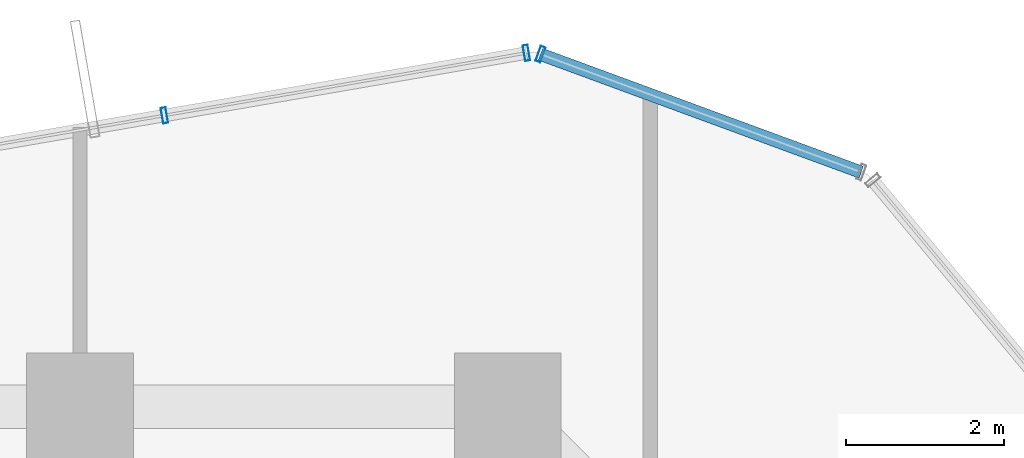
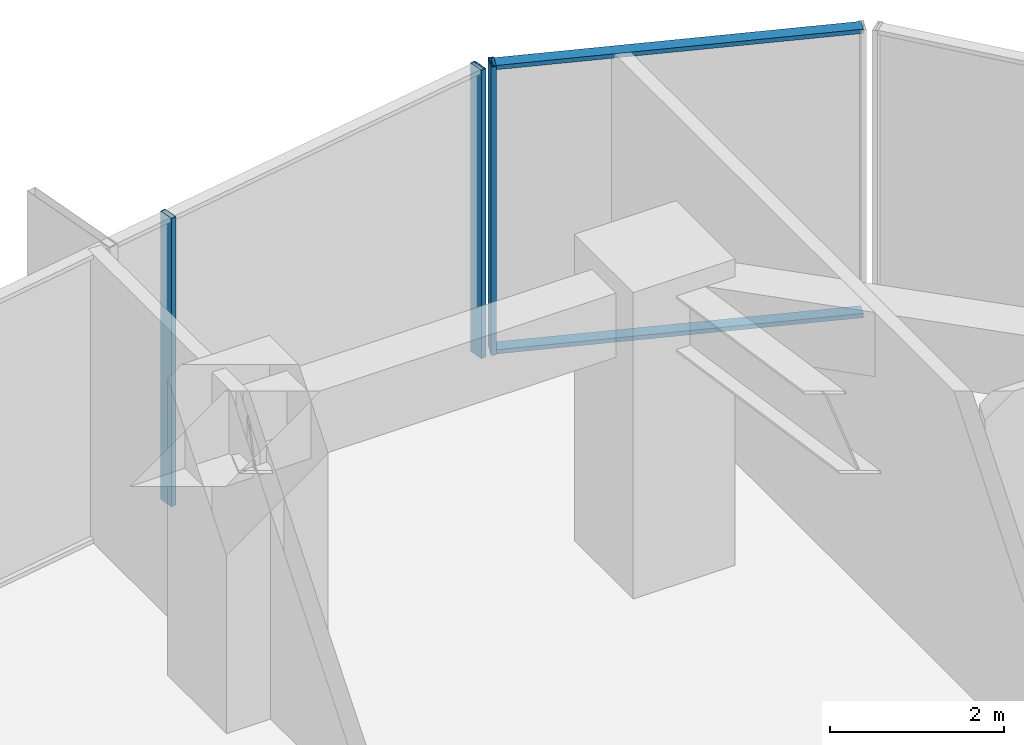
# One storey, part 25 of 35: 5 members, 2 elements without a shape of their own.
"""IFC4 building model written with IfcOpenShell, lengths in metres."""

from ifc_helpers import new_model, si_unit, direction, frame, origin, origin_2d, place, context, subcontext, project, spatial, hollow_rectangle, extrude, source, transform, mapped, material, layer, layer_set, material_profile, profile_set, type_object, element, aggregate, save


model = new_model("IFC4")

# Units and contexts
model_context = context("Model", 3, precision=1e-05, world=origin(), true_north=direction((0.0, 1.0)))
body_context = subcontext(model_context, "Body", "Model", "MODEL_VIEW")
ifc_project = project(units=[si_unit("LENGTHUNIT", "METRE"), si_unit("AREAUNIT", "SQUARE_METRE"), si_unit("VOLUMEUNIT", "CUBIC_METRE"), si_unit("PLANEANGLEUNIT", "RADIAN"), si_unit("MASSUNIT", "GRAM", prefix="KILO")], contexts=[model_context])

# Site, building, storey
site_placement = place(None, origin())
site = spatial("IfcSite", under=ifc_project, at=site_placement, CompositionType="ELEMENT")
building_placement = place(site_placement, origin())
building = spatial("IfcBuilding", under=site, at=building_placement, Name="Veraguas Prism Commons", CompositionType="ELEMENT")
storey_placement = place(building_placement, frame((0.0, 0.0, 56.550048828125)))
storey = spatial("IfcBuildingStorey", under=building, at=storey_placement, Name="L15", CompositionType="ELEMENT", Elevation=56.550048828125)

# Curtain wall, members
ifc_material = material(Name="Anodised aluminium EN AW-6063 T6", Category="aluminium")
ifc_layer = layer(ifc_material, 0.199951171875, Name="Sky Lobby and Pool Acoustic Curtain Wall", Category="aluminium")
ifc_layer_set = layer_set([ifc_layer], Name="Anodised aluminium EN AW-6063 T6")
curtain_wall_type = type_object("IfcCurtainWallType", Name="Sky Lobby and Pool Acoustic Curtain Wall", PredefinedType="NOTDEFINED", material=ifc_layer_set)
curtain_wall_1_placement = place(storey_placement, origin())
curtain_wall_1 = element("IfcCurtainWall", 1, at=curtain_wall_1_placement, inside=storey, type_object=curtain_wall_type, Name="Tower Facade Curtain Wall L15-F2", PredefinedType="NOTDEFINED")
ifc_material_profile_1 = material_profile(ifc_material, hollow_rectangle(XDim=0.06494140625, YDim=0.199951171875, WallThickness=0.00390625, at=origin_2d()), Name="AL65X200X4")
ifc_profile_set_1 = profile_set([ifc_material_profile_1], Name="Anodised aluminium EN AW-6063 T6")
member_type_1 = type_object("IfcMemberType", Name="Curtain Wall Mullion Heavy AL 65x200x4", PredefinedType="MULLION", material=ifc_profile_set_1)
shared_shape_1 = source(origin(), body_context, "Body", "SweptSolid", [
    extrude(hollow_rectangle(XDim=0.06494140625, YDim=0.199951171875, WallThickness=0.00390625, at=origin_2d()), origin(), (0.0, 0.0, 1.0), 4.050048828125),
])
member_1_placement = place(storey_placement, frame((29.635986328125, 46.06591796875, 0.0), z_axis=(0.0, 0.0, 1.0), x_axis=(-0.985407898483, -0.170209499166, 0.0)))
member_1 = element("IfcMember", 2, at=member_1_placement, type_object=member_type_1, Name="CW-SKY Mullion 1", PredefinedType="MULLION", context=body_context, shape_type="MappedRepresentation", body=[
    mapped(shared_shape_1, transform((0.0, 0.0, 0.0), scale=1.0)),
])
member_2_placement = place(storey_placement, frame((25.065185546875, 45.2763671875, 0.0), z_axis=(0.0, 0.0, 1.0), x_axis=(-0.985407898483, -0.170209499166, 0.0)))
member_2 = element("IfcMember", 3, at=member_2_placement, type_object=member_type_1, Name="CW-SKY Mullion 2", PredefinedType="MULLION", context=body_context, shape_type="MappedRepresentation", body=[
    mapped(shared_shape_1, transform((0.0, 0.0, 0.0), scale=1.0)),
])
aggregate(curtain_wall_1, [member_1, member_2])

curtain_wall_2_placement = place(storey_placement, origin())
curtain_wall_2 = element("IfcCurtainWall", 4, at=curtain_wall_2_placement, inside=storey, type_object=curtain_wall_type, Name="Chamfer Curtain Wall L15-C2", PredefinedType="NOTDEFINED")
member_3_placement = place(storey_placement, frame((29.813720703125, 46.049560546875, 0.0), z_axis=(0.0, 0.0, 1.0), x_axis=(-0.938493625417, 0.345296561019, 0.0)))
member_3 = element("IfcMember", 5, at=member_3_placement, type_object=member_type_1, Name="CW-SKY Mullion 2", PredefinedType="MULLION", context=body_context, shape_type="MappedRepresentation", body=[
    mapped(shared_shape_1, transform((0.0, 0.0, 0.0), scale=1.0)),
])
ifc_material_profile_2 = material_profile(ifc_material, hollow_rectangle(XDim=0.06005859375, YDim=0.159912109375, WallThickness=0.0029296875, at=origin_2d()), Name="AL60X160X3")
ifc_profile_set_2 = profile_set([ifc_material_profile_2], Name="Anodised aluminium EN AW-6063 T6")
member_type_2 = type_object("IfcMemberType", Name="Curtain Wall Transom Heavy AL 60x160x3", PredefinedType="USERDEFINED", material=ifc_profile_set_2)
shared_shape_2 = source(origin(), body_context, "Body", "SweptSolid", [
    extrude(hollow_rectangle(XDim=0.06005859375, YDim=0.159912109375, WallThickness=0.0029296875, at=origin_2d()), origin(), (0.0, 0.0, 1.0), 4.31494140625),
])
member_4_placement = place(storey_placement, frame((33.86328125, 44.559814453125, 0.030029296875), z_axis=(-0.938508198465, 0.345256949842, 0.0), x_axis=(0.0, 0.0, 1.0)))
member_4 = element("IfcMember", 6, at=member_4_placement, type_object=member_type_2, Name="CW-SKY Transom 1", ObjectType="TRANSOM", PredefinedType="USERDEFINED", context=body_context, shape_type="MappedRepresentation", body=[
    mapped(shared_shape_2, transform((0.0, 0.0, 0.0), scale=1.0)),
])
member_5_placement = place(storey_placement, frame((33.86328125, 44.559814453125, 4.02001953125), z_axis=(-0.938508198465, 0.345256949842, 0.0), x_axis=(0.0, 0.0, 1.0)))
member_5 = element("IfcMember", 7, at=member_5_placement, type_object=member_type_2, Name="CW-SKY Transom 2", ObjectType="TRANSOM", PredefinedType="USERDEFINED", context=body_context, shape_type="MappedRepresentation", body=[
    mapped(shared_shape_2, transform((0.0, 0.0, 0.0), scale=1.0)),
])
aggregate(curtain_wall_2, [member_3, member_4, member_5])

save(model, "model.ifc")
